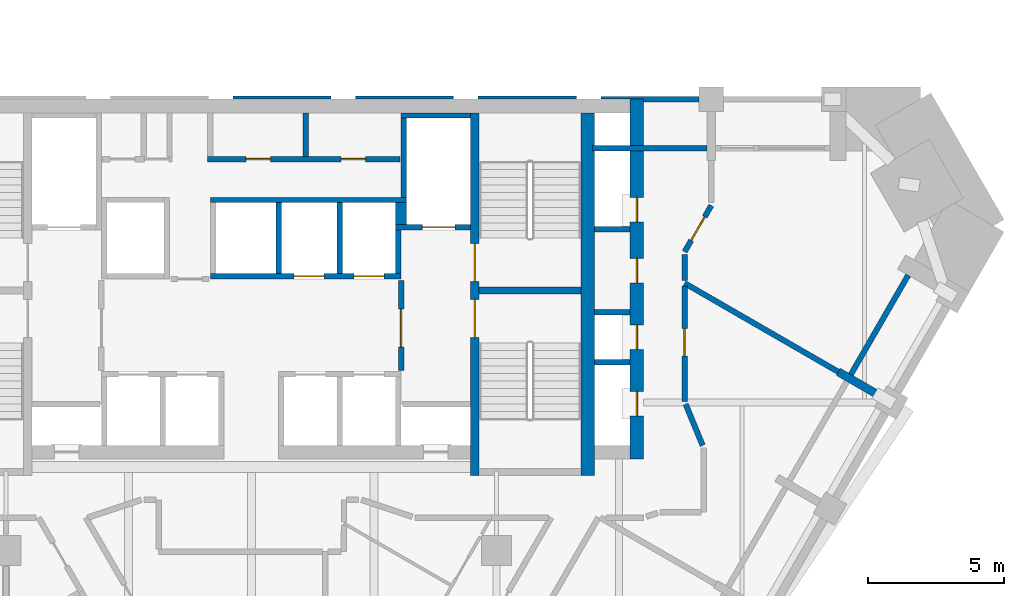
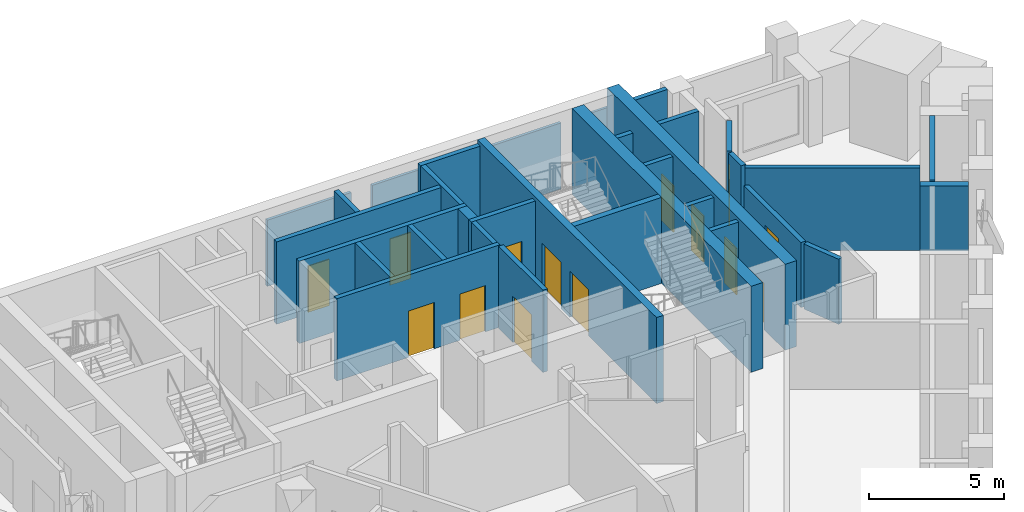
# One storey, part 7 of 9: 31 walls, 14 doors, 14 openings.
"""IFC4 building model written with IfcOpenShell, lengths in metres."""

from ifc_helpers import new_model, si_unit, direction, frame, frame_2d, origin, place, context, subcontext, project, spatial, polyline, rectangle, outline, extrude, material, layer, layer_set, type_object, element, fill, save


model = new_model("IFC4")

# Units and contexts
model_context = context("Model", 3, precision=1e-05, world=origin(), true_north=direction((0.0, 1.0)))
body_context = subcontext(model_context, "Body", "Model", "MODEL_VIEW")
ifc_project = project(units=[si_unit("LENGTHUNIT", "METRE"), si_unit("AREAUNIT", "SQUARE_METRE"), si_unit("VOLUMEUNIT", "CUBIC_METRE"), si_unit("PLANEANGLEUNIT", "RADIAN"), si_unit("MASSUNIT", "GRAM", prefix="KILO")], contexts=[model_context])

# Site, building, storey
site_placement = place(None, origin())
site = spatial("IfcSite", under=ifc_project, at=site_placement, CompositionType="ELEMENT")
building_placement = place(site_placement, origin())
building = spatial("IfcBuilding", under=site, at=building_placement, Name="Calabash Gate Tower", CompositionType="ELEMENT")
storey_placement = place(building_placement, frame((0.0, 0.0, 204.199951171875)))
storey = spatial("IfcBuildingStorey", under=building, at=storey_placement, Name="L48", CompositionType="ELEMENT", Elevation=204.199951171875)

# Walls
ifc_material_1 = material(Name="Terracotta brick masonry, exposed face", Category="masonry")
ifc_layer_1 = layer(ifc_material_1, 0.300048828125)
ifc_layer_set_1 = layer_set([ifc_layer_1], Name="Brick loggia cheek wall 300")
wall_type_1 = type_object("IfcWallType", Name="Brick loggia cheek wall 300", PredefinedType="SOLIDWALL", material=ifc_layer_set_1)
wall_1_placement = place(storey_placement, frame((23.09619140625, 8.148193359375, 0.0), z_axis=(0.0, 0.0, 1.0), x_axis=(-0.866047807691, 0.499961193289, 0.0)))
element("IfcWall", 1, at=wall_1_placement, inside=storey, type_object=wall_type_1, Name="Loggia cheek S13 SE2.8", PredefinedType="SOLIDWALL", context=body_context, shape_type="SweptSolid", body=[
    extrude(rectangle(XDim=1.800048828125, YDim=0.300048828125, at=frame_2d((0.89990234375, 0.0))), origin(), (0.0, 0.0, 1.0), 2.9501953125),
])
ifc_material_2 = material(Name="Gypsum board on steel studs, mineral wool", Category="steel")
ifc_layer_2 = layer(ifc_material_2, 0.199951171875)
ifc_layer_set_2 = layer_set([ifc_layer_2], Name="Core partition 200 gypsum board")
wall_type_2 = type_object("IfcWallType", Name="Core partition 200 gypsum board", PredefinedType="PARTITIONING", material=ifc_layer_set_2)
wall_2_placement = place(storey_placement, frame((2.0, 16.95263671875, 0.0), z_axis=(0.0, 0.0, 1.0), x_axis=(0.0, 1.0, 0.0)))
element("IfcWall", 2, at=wall_2_placement, inside=storey, type_object=wall_type_2, Name="Core partition", PredefinedType="PARTITIONING", context=body_context, shape_type="SweptSolid", body=[
    extrude(rectangle(XDim=1.599853515625, YDim=0.199951171875, at=frame_2d((0.7998046875, 0.0))), origin(), (0.0, 0.0, 1.0), 3.72998046875),
])
ifc_material_3 = material(Name="Concrete C70/85", Category="concrete")
ifc_layer_3 = layer(ifc_material_3, 0.25)
ifc_layer_set_3 = layer_set([ifc_layer_3], Name="Core wall 250 Concrete C70/85")
wall_type_3 = type_object("IfcWallType", Name="Core wall 250 Concrete C70/85", PredefinedType="SHEAR", material=ifc_layer_set_3)
wall_3_placement = place(storey_placement, frame((8.35009765625, 12.027587890625, 0.0), z_axis=(0.0, 0.0, 1.0), x_axis=(1.0, 0.0, 0.0)))
element("IfcWall", 3, at=wall_3_placement, inside=storey, type_object=wall_type_3, Name="Core wall Z4-MIDE L48", PredefinedType="SHEAR", context=body_context, shape_type="SweptSolid", body=[
    extrude(rectangle(XDim=3.75, YDim=0.25, at=frame_2d((1.875, 0.0))), origin(), (0.0, 0.0, 1.0), 3.900146484375),
])

# Wall, openings, doors
ifc_material_4 = material(Name="Concrete C70/85", Category="concrete")
ifc_layer_4 = layer(ifc_material_4, 0.300048828125)
ifc_layer_set_4 = layer_set([ifc_layer_4], Name="Core wall 300 Concrete C70/85")
wall_type_4 = type_object("IfcWallType", Name="Core wall 300 Concrete C70/85", PredefinedType="SHEAR", material=ifc_layer_set_4)
wall_4_placement = place(storey_placement, frame((8.199951171875, 5.252685546875, 0.0), z_axis=(0.0, 0.0, 1.0), x_axis=(0.0, 1.0, 0.0)))
wall_4 = element("IfcWall", 4, at=wall_4_placement, inside=storey, type_object=wall_type_4, Name="Core wall Z4-PARTE L48", PredefinedType="SHEAR", context=body_context, shape_type="SweptSolid", body=[
    extrude(rectangle(XDim=13.2998046875, YDim=0.300048828125, at=frame_2d((6.64990234375, 0.0))), origin(), (0.0, 0.0, 1.0), 3.900146484375),
])
opening_1_placement = place(wall_4_placement, frame((7.10009765625, 0.0, 0.0)))
opening_1 = element("IfcOpeningElement", 5, at=opening_1_placement, cuts=wall_4, Name="Opening O5-020", PredefinedType="OPENING", context=body_context, shape_type="SweptSolid", body=[
    extrude(rectangle(XDim=1.39990234375, YDim=2.10009765625, at=frame_2d((0.699951171875, 1.050048828125))), frame((0.0, 0.159912109375, 0.0), z_axis=(0.0, -1.0, 0.0), x_axis=(1.0, 0.0, 0.0)), (0.0, 0.0, 1.0), 0.320068359375),
])
opening_2_placement = place(wall_4_placement, frame((5.050048828125, 0.0, 0.0)))
opening_2 = element("IfcOpeningElement", 6, at=opening_2_placement, cuts=wall_4, Name="Opening O5-021", PredefinedType="OPENING", context=body_context, shape_type="SweptSolid", body=[
    extrude(rectangle(XDim=1.39990234375, YDim=2.10009765625, at=frame_2d((0.699951171875, 1.050048828125))), frame((0.0, 0.159912109375, 0.0), z_axis=(0.0, -1.0, 0.0), x_axis=(1.0, 0.0, 0.0)), (0.0, 0.0, 1.0), 0.320068359375),
])
ifc_material_5 = material(Name="Steel fire door set with fire-resisting glazing", Category="steel")
door_type_1 = type_object("IfcDoorType", Name="Fire door D05 1400x2100 FD90", OperationType="NOTDEFINED", PredefinedType="DOOR", material=ifc_material_5)
door_1_placement = place(opening_1_placement, origin())
door_1 = element("IfcDoor", 7, at=door_1_placement, inside=storey, type_object=door_type_1, Name="Exit stair door ST3", OperationType="SINGLE_SWING_RIGHT", OverallHeight=2.10009765625, OverallWidth=1.39990234375, PredefinedType="DOOR", context=body_context, shape_type="SweptSolid", body=[
    extrude(rectangle(XDim=1.39990234375, YDim=2.10009765625, at=frame_2d((0.699951171875, 1.050048828125))), frame((0.0, 0.02490234375, 0.0), z_axis=(0.0, -1.0, 0.0), x_axis=(1.0, 0.0, 0.0)), (0.0, 0.0, 1.0), 0.050048828125),
])
fill(opening_1, door_1)
door_2_placement = place(opening_2_placement, origin())
door_2 = element("IfcDoor", 8, at=door_2_placement, inside=storey, type_object=door_type_1, Name="Exit stair door ST4", OperationType="SINGLE_SWING_LEFT", OverallHeight=2.10009765625, OverallWidth=1.39990234375, PredefinedType="DOOR", context=body_context, shape_type="SweptSolid", body=[
    extrude(rectangle(XDim=1.39990234375, YDim=2.10009765625, at=frame_2d((0.699951171875, 1.050048828125))), frame((0.0, 0.02490234375, 0.0), z_axis=(0.0, -1.0, 0.0), x_axis=(1.0, 0.0, 0.0)), (0.0, 0.0, 1.0), 0.050048828125),
])
fill(opening_2, door_2)

# Wall
ifc_material_6 = material(Name="Concrete C70/85", Category="concrete")
ifc_layer_5 = layer(ifc_material_6, 0.5)
ifc_layer_set_5 = layer_set([ifc_layer_5], Name="Core wall 500 Concrete C70/85")
wall_type_5 = type_object("IfcWallType", Name="Core wall 500 Concrete C70/85", PredefinedType="SHEAR", material=ifc_layer_set_5)
wall_5_placement = place(storey_placement, frame((12.35009765625, 5.252685546875, 0.0), z_axis=(0.0, 0.0, 1.0), x_axis=(0.0, 1.0, 0.0)))
element("IfcWall", 9, at=wall_5_placement, inside=storey, type_object=wall_type_5, Name="Core wall Z4-COLE L48", PredefinedType="SHEAR", context=body_context, shape_type="SweptSolid", body=[
    extrude(rectangle(XDim=13.2998046875, YDim=0.5, at=frame_2d((6.64990234375, 0.0))), origin(), (0.0, 0.0, 1.0), 3.900146484375),
])

# Wall, openings, doors
wall_6_placement = place(storey_placement, frame((14.14990234375, 5.8525390625, 0.0), z_axis=(0.0, 0.0, 1.0), x_axis=(0.0, 1.0, 0.0)))
wall_6 = element("IfcWall", 10, at=wall_6_placement, inside=storey, type_object=wall_type_5, Name="Core wall Z4-ENDE L48", PredefinedType="SHEAR", context=body_context, shape_type="SweptSolid", body=[
    extrude(rectangle(XDim=13.199951171875, YDim=0.5, at=frame_2d((6.60009765625, 0.0))), origin(), (0.0, 0.0, 1.0), 3.900146484375),
])
opening_3_placement = place(wall_6_placement, frame((1.574951171875, 0.0, 0.0)))
opening_3 = element("IfcOpeningElement", 11, at=opening_3_placement, cuts=wall_6, Name="Opening O5-001", PredefinedType="OPENING", context=body_context, shape_type="SweptSolid", body=[
    extrude(rectangle(XDim=0.89990234375, YDim=2.10009765625, at=frame_2d((0.449951171875, 1.050048828125))), frame((0.0, 0.260009765625, 0.0), z_axis=(0.0, -1.0, 0.0), x_axis=(1.0, 0.0, 0.0)), (0.0, 0.0, 1.0), 0.52001953125),
])
opening_4_placement = place(wall_6_placement, frame((4.014892578125, 0.0, 0.0)))
opening_4 = element("IfcOpeningElement", 12, at=opening_4_placement, cuts=wall_6, Name="Opening O5-002", PredefinedType="OPENING", context=body_context, shape_type="SweptSolid", body=[
    extrude(rectangle(XDim=0.89990234375, YDim=2.10009765625, at=frame_2d((0.449951171875, 1.050048828125))), frame((0.0, 0.260009765625, 0.0), z_axis=(0.0, -1.0, 0.0), x_axis=(1.0, 0.0, 0.0)), (0.0, 0.0, 1.0), 0.52001953125),
])
opening_5_placement = place(wall_6_placement, frame((6.455078125, 0.0, 0.0)))
opening_5 = element("IfcOpeningElement", 13, at=opening_5_placement, cuts=wall_6, Name="Opening O5-003", PredefinedType="OPENING", context=body_context, shape_type="SweptSolid", body=[
    extrude(rectangle(XDim=0.89990234375, YDim=2.10009765625, at=frame_2d((0.449951171875, 1.050048828125))), frame((0.0, 0.260009765625, 0.0), z_axis=(0.0, -1.0, 0.0), x_axis=(1.0, 0.0, 0.0)), (0.0, 0.0, 1.0), 0.52001953125),
])
opening_6_placement = place(wall_6_placement, frame((8.697509765625, 0.0, 0.0)))
opening_6 = element("IfcOpeningElement", 14, at=opening_6_placement, cuts=wall_6, Name="Opening O5-004", PredefinedType="OPENING", context=body_context, shape_type="SweptSolid", body=[
    extrude(rectangle(XDim=0.89990234375, YDim=2.10009765625, at=frame_2d((0.449951171875, 1.050048828125))), frame((0.0, 0.260009765625, 0.0), z_axis=(0.0, -1.0, 0.0), x_axis=(1.0, 0.0, 0.0)), (0.0, 0.0, 1.0), 0.52001953125),
])
ifc_material_7 = material(Name="Steel fire door set with fire-resisting glazing", Category="steel")
door_type_2 = type_object("IfcDoorType", Name="Fire door D06 900x2100 FD60", OperationType="NOTDEFINED", PredefinedType="DOOR", material=ifc_material_7)
door_3_placement = place(opening_3_placement, origin())
door_3 = element("IfcDoor", 15, at=door_3_placement, inside=storey, type_object=door_type_2, Name="Electrical Riser door", OperationType="SINGLE_SWING_LEFT", OverallHeight=2.10009765625, OverallWidth=0.89990234375, PredefinedType="DOOR", context=body_context, shape_type="SweptSolid", body=[
    extrude(rectangle(XDim=0.89990234375, YDim=2.10009765625, at=frame_2d((0.449951171875, 1.050048828125))), frame((0.0, 0.02490234375, 0.0), z_axis=(0.0, -1.0, 0.0), x_axis=(1.0, 0.0, 0.0)), (0.0, 0.0, 1.0), 0.050048828125),
])
fill(opening_3, door_3)
door_4_placement = place(opening_4_placement, origin())
door_4 = element("IfcDoor", 16, at=door_4_placement, inside=storey, type_object=door_type_2, Name="Comms Riser door", OperationType="SINGLE_SWING_RIGHT", OverallHeight=2.10009765625, OverallWidth=0.89990234375, PredefinedType="DOOR", context=body_context, shape_type="SweptSolid", body=[
    extrude(rectangle(XDim=0.89990234375, YDim=2.10009765625, at=frame_2d((0.449951171875, 1.050048828125))), frame((0.0, 0.02490234375, 0.0), z_axis=(0.0, -1.0, 0.0), x_axis=(1.0, 0.0, 0.0)), (0.0, 0.0, 1.0), 0.050048828125),
])
fill(opening_4, door_4)
door_5_placement = place(opening_5_placement, origin())
door_5 = element("IfcDoor", 17, at=door_5_placement, inside=storey, type_object=door_type_2, Name="Cleaner's Store door", OperationType="SINGLE_SWING_LEFT", OverallHeight=2.10009765625, OverallWidth=0.89990234375, PredefinedType="DOOR", context=body_context, shape_type="SweptSolid", body=[
    extrude(rectangle(XDim=0.89990234375, YDim=2.10009765625, at=frame_2d((0.449951171875, 1.050048828125))), frame((0.0, 0.02490234375, 0.0), z_axis=(0.0, -1.0, 0.0), x_axis=(1.0, 0.0, 0.0)), (0.0, 0.0, 1.0), 0.050048828125),
])
fill(opening_5, door_5)
door_6_placement = place(opening_6_placement, origin())
door_6 = element("IfcDoor", 18, at=door_6_placement, inside=storey, type_object=door_type_2, Name="Duct Riser door", OperationType="SINGLE_SWING_LEFT", OverallHeight=2.10009765625, OverallWidth=0.89990234375, PredefinedType="DOOR", context=body_context, shape_type="SweptSolid", body=[
    extrude(rectangle(XDim=0.89990234375, YDim=2.10009765625, at=frame_2d((0.449951171875, 1.050048828125))), frame((0.0, 0.02490234375, 0.0), z_axis=(0.0, -1.0, 0.0), x_axis=(1.0, 0.0, 0.0)), (0.0, 0.0, 1.0), 0.050048828125),
])
fill(opening_6, door_6)

# Walls
ifc_material_8 = material(Name="Gypsum board on steel studs, mineral wool", Category="steel")
ifc_layer_6 = layer(ifc_material_8, 0.199951171875)
ifc_layer_set_6 = layer_set([ifc_layer_6], Name="Partition 200 gypsum board EI 60")
wall_type_6 = type_object("IfcWallType", Name="Partition 200 gypsum board EI 60", PredefinedType="PARTITIONING", material=ifc_layer_set_6)
wall_7_placement = place(storey_placement, frame((15.938720703125, 7.860107421875, 0.0), z_axis=(0.0, 0.0, 1.0), x_axis=(0.380749805254, -0.924678098475, 0.0)))
element("IfcWall", 19, at=wall_7_placement, inside=storey, type_object=wall_type_6, Name="Partition", PredefinedType="PARTITIONING", context=body_context, shape_type="SweptSolid", body=[
    extrude(rectangle(XDim=1.63818359375, YDim=0.199951171875, at=frame_2d((0.819091796875, 0.0))), origin(), (0.0, 0.0, 1.0), 2.9501953125),
])
wall_8_placement = place(storey_placement, frame((15.900390625, 12.30029296875, 0.0), z_axis=(0.0, 0.0, 1.0), x_axis=(0.86615310705, -0.499778746194, 0.0)))
element("IfcWall", 20, at=wall_8_placement, inside=storey, type_object=wall_type_6, Name="Partition", PredefinedType="PARTITIONING", context=body_context, shape_type="SweptSolid", body=[
    extrude(rectangle(XDim=6.5078125, YDim=0.199951171875, at=frame_2d((3.25390625, 0.0))), origin(), (0.0, 0.0, 1.0), 3.72998046875),
])

# Wall, opening, door
wall_9_placement = place(storey_placement, frame((15.900390625, 7.95263671875, 0.0), z_axis=(0.0, 0.0, 1.0), x_axis=(0.000402229468, 0.999999919106, 0.0)))
wall_9 = element("IfcWall", 21, at=wall_9_placement, inside=storey, type_object=wall_type_6, Name="Partition", PredefinedType="PARTITIONING", context=body_context, shape_type="SweptSolid", body=[
    extrude(rectangle(XDim=4.248779296875, YDim=0.199951171875, at=frame_2d((2.12451171875, 0.0))), origin(), (0.0, 0.0, 1.0), 2.9501953125),
])
opening_7_placement = place(wall_9_placement, frame((1.67578125, 0.0, 0.0)))
opening_7 = element("IfcOpeningElement", 22, at=opening_7_placement, cuts=wall_9, Name="Opening 46-48-011", PredefinedType="OPENING", context=body_context, shape_type="SweptSolid", body=[
    extrude(rectangle(XDim=1.0, YDim=2.10009765625, at=frame_2d((0.5, 1.050048828125))), frame((0.0, 0.10986328125, 0.0), z_axis=(0.0, -1.0, 0.0), x_axis=(1.0, 0.0, 0.0)), (0.0, 0.0, 1.0), 0.219970703125),
])
ifc_material_9 = material(Name="Steel fire door set with fire-resisting glazing", Category="steel")
door_type_3 = type_object("IfcDoorType", Name="LD2 Meeting room door 1000x2100", OperationType="NOTDEFINED", PredefinedType="DOOR", material=ifc_material_9)
door_7_placement = place(opening_7_placement, origin())
door_7 = element("IfcDoor", 23, at=door_7_placement, inside=storey, type_object=door_type_3, Name="Meeting room door", OperationType="SINGLE_SWING_RIGHT", OverallHeight=2.10009765625, OverallWidth=1.0, PredefinedType="DOOR", context=body_context, shape_type="SweptSolid", body=[
    extrude(rectangle(XDim=1.0, YDim=2.10009765625, at=frame_2d((0.5, 1.050048828125))), frame((0.0, 0.02490234375, 0.0), z_axis=(0.0, -1.0, 0.0), x_axis=(1.0, 0.0, 0.0)), (0.0, 0.0, 1.0), 0.050048828125),
])
fill(opening_7, door_7)

# Wall
wall_10_placement = place(storey_placement, frame((15.900634765625, 13.352294921875, 0.0), z_axis=(0.0, 0.0, 1.0), x_axis=(0.001284025649, -0.999999175639, 0.0)))
element("IfcWall", 24, at=wall_10_placement, inside=storey, type_object=wall_type_6, Name="Partition", PredefinedType="PARTITIONING", context=body_context, shape_type="SweptSolid", body=[
    extrude(rectangle(XDim=0.95068359375, YDim=0.199951171875, at=frame_2d((0.475341796875, 0.0))), origin(), (0.0, 0.0, 1.0), 3.72998046875),
])

# Wall, opening, door
wall_11_placement = place(storey_placement, frame((15.900390625, 13.452392578125, 0.0), z_axis=(0.0, 0.0, 1.0), x_axis=(0.498590407305, 0.866837704385, 0.0)))
wall_11 = element("IfcWall", 25, at=wall_11_placement, inside=storey, type_object=wall_type_6, Name="Partition", PredefinedType="PARTITIONING", context=body_context, shape_type="SweptSolid", body=[
    extrude(rectangle(XDim=1.961181640625, YDim=0.199951171875, at=frame_2d((0.98046875, 0.0))), origin(), (0.0, 0.0, 1.0), 3.72998046875),
])
opening_8_placement = place(wall_11_placement, frame((0.480712890625, 0.0, 0.0)))
opening_8 = element("IfcOpeningElement", 26, at=opening_8_placement, cuts=wall_11, Name="Opening 46-48-010", PredefinedType="OPENING", context=body_context, shape_type="SweptSolid", body=[
    extrude(rectangle(XDim=1.0, YDim=2.10009765625, at=frame_2d((0.5, 1.050048828125))), frame((0.0, 0.10986328125, 0.0), z_axis=(0.0, -1.0, 0.0), x_axis=(1.0, 0.0, 0.0)), (0.0, 0.0, 1.0), 0.219970703125),
])
door_8_placement = place(opening_8_placement, origin())
door_8 = element("IfcDoor", 27, at=door_8_placement, inside=storey, type_object=door_type_3, Name="Meeting room door", OperationType="SINGLE_SWING_LEFT", OverallHeight=2.10009765625, OverallWidth=1.0, PredefinedType="DOOR", context=body_context, shape_type="SweptSolid", body=[
    extrude(rectangle(XDim=1.0, YDim=2.10009765625, at=frame_2d((0.5, 1.050048828125))), frame((0.0, 0.02490234375, 0.0), z_axis=(0.0, -1.0, 0.0), x_axis=(1.0, 0.0, 0.0)), (0.0, 0.0, 1.0), 0.050048828125),
])
fill(opening_8, door_8)

ifc_material_10 = material(Name="Concrete C40/50", Category="concrete")
ifc_layer_7 = layer(ifc_material_10, 0.199951171875)
ifc_layer_set_7 = layer_set([ifc_layer_7], Name="Shaft wall 200 Concrete C40/50")
wall_type_7 = type_object("IfcWallType", Name="Shaft wall 200 Concrete C40/50", PredefinedType="SOLIDWALL", material=ifc_layer_set_7)
wall_12_placement = place(storey_placement, frame((5.5, 9.1025390625, 0.0), z_axis=(0.0, 0.0, 1.0), x_axis=(0.0, 1.0, 0.0)))
wall_12 = element("IfcWall", 28, at=wall_12_placement, inside=storey, type_object=wall_type_7, Name="Shaft wall", PredefinedType="SOLIDWALL", context=body_context, shape_type="SweptSolid", body=[
    extrude(rectangle(XDim=3.300048828125, YDim=0.199951171875, at=frame_2d((1.64990234375, 0.0))), origin(), (0.0, 0.0, 1.0), 3.72998046875),
])
opening_9_placement = place(wall_12_placement, frame((0.85009765625, 0.0, 0.0)))
opening_9 = element("IfcOpeningElement", 29, at=opening_9_placement, cuts=wall_12, Name="Opening O5-010", PredefinedType="OPENING", context=body_context, shape_type="SweptSolid", body=[
    extrude(rectangle(XDim=1.39990234375, YDim=2.10009765625, at=frame_2d((0.699951171875, 1.050048828125))), frame((0.0, 0.10986328125, 0.0), z_axis=(0.0, -1.0, 0.0), x_axis=(1.0, 0.0, 0.0)), (0.0, 0.0, 1.0), 0.219970703125),
])
door_9_placement = place(opening_9_placement, origin())
door_9 = element("IfcDoor", 30, at=door_9_placement, inside=storey, type_object=door_type_1, Name="Firefighting Lobby E door", OperationType="SINGLE_SWING_LEFT", OverallHeight=2.10009765625, OverallWidth=1.39990234375, PredefinedType="DOOR", context=body_context, shape_type="SweptSolid", body=[
    extrude(rectangle(XDim=1.39990234375, YDim=2.10009765625, at=frame_2d((0.699951171875, 1.050048828125))), frame((0.0, 0.02490234375, 0.0), z_axis=(0.0, -1.0, 0.0), x_axis=(1.0, 0.0, 0.0)), (0.0, 0.0, 1.0), 0.050048828125),
])
fill(opening_9, door_9)

# Walls
for number, where, z_axis, x_axis, name in (
    (31, (12.60009765625, 9.402587890625, 0.0), (0.0, 0.0, 1.0), (1.0, 0.0, 0.0), "Shaft wall"),
    (32, (12.60009765625, 11.232666015625, 0.0), (0.0, 0.0, 1.0), (1.0, 0.0, 0.0), "Shaft wall"),
):
    element("IfcWall", number, at=place(storey_placement, frame(where, z_axis=z_axis, x_axis=x_axis)), inside=storey, type_object=wall_type_7, Name=name, PredefinedType="SOLIDWALL", context=body_context, shape_type="SweptSolid", body=[
        extrude(rectangle(XDim=1.2998046875, YDim=0.199951171875, at=frame_2d((0.64990234375, 0.0))), origin(), (0.0, 0.0, 1.0), 3.72998046875),
    ])

# Wall, openings, doors
wall_13_placement = place(storey_placement, frame((-1.5, 12.552490234375, 0.0), z_axis=(0.0, 0.0, 1.0), x_axis=(1.0, 0.0, 0.0)))
wall_13 = element("IfcWall", 33, at=wall_13_placement, inside=storey, type_object=wall_type_7, Name="Shaft wall", PredefinedType="SOLIDWALL", context=body_context, shape_type="SweptSolid", body=[
    extrude(rectangle(XDim=7.0, YDim=0.199951171875, at=frame_2d((3.5, 0.0))), origin(), (0.0, 0.0, 1.0), 3.72998046875),
])
opening_10_placement = place(wall_13_placement, frame((3.074951171875, 0.0, 0.0)))
opening_10 = element("IfcOpeningElement", 34, at=opening_10_placement, cuts=wall_13, Name="Opening LD-HR5", PredefinedType="OPENING", context=body_context, shape_type="SweptSolid", body=[
    extrude(rectangle(XDim=1.10009765625, YDim=2.10009765625, at=frame_2d((0.550048828125, 1.050048828125))), frame((0.0, 0.10986328125, 0.0), z_axis=(0.0, -1.0, 0.0), x_axis=(1.0, 0.0, 0.0)), (0.0, 0.0, 1.0), 0.219970703125),
])
opening_11_placement = place(wall_13_placement, frame((5.27490234375, 0.0, 0.0)))
opening_11 = element("IfcOpeningElement", 35, at=opening_11_placement, cuts=wall_13, Name="Opening LD-HR6", PredefinedType="OPENING", context=body_context, shape_type="SweptSolid", body=[
    extrude(rectangle(XDim=1.10009765625, YDim=2.10009765625, at=frame_2d((0.550048828125, 1.050048828125))), frame((0.0, 0.10986328125, 0.0), z_axis=(0.0, -1.0, 0.0), x_axis=(1.0, 0.0, 0.0)), (0.0, 0.0, 1.0), 0.219970703125),
])
ifc_material_11 = material(Name="Stainless steel sliding door leaves", Category="steel")
door_type_4 = type_object("IfcDoorType", Name="Lift landing door LS1 1100x2100 FD90", OperationType="DOUBLE_DOOR_SLIDING", PredefinedType="DOOR", material=ifc_material_11)
door_10_placement = place(opening_10_placement, origin())
door_10 = element("IfcDoor", 36, at=door_10_placement, inside=storey, type_object=door_type_4, Name="Lift landing door HR5", OperationType="DOUBLE_DOOR_SLIDING", OverallHeight=2.10009765625, OverallWidth=1.10009765625, PredefinedType="DOOR", context=body_context, shape_type="SweptSolid", body=[
    extrude(rectangle(XDim=1.10009765625, YDim=2.10009765625, at=frame_2d((0.550048828125, 1.050048828125))), frame((0.0, 0.02490234375, 0.0), z_axis=(0.0, -1.0, 0.0), x_axis=(1.0, 0.0, 0.0)), (0.0, 0.0, 1.0), 0.050048828125),
])
fill(opening_10, door_10)
door_11_placement = place(opening_11_placement, origin())
door_11 = element("IfcDoor", 37, at=door_11_placement, inside=storey, type_object=door_type_4, Name="Lift landing door HR6", OperationType="DOUBLE_DOOR_SLIDING", OverallHeight=2.10009765625, OverallWidth=1.10009765625, PredefinedType="DOOR", context=body_context, shape_type="SweptSolid", body=[
    extrude(rectangle(XDim=1.10009765625, YDim=2.10009765625, at=frame_2d((0.550048828125, 1.050048828125))), frame((0.0, 0.02490234375, 0.0), z_axis=(0.0, -1.0, 0.0), x_axis=(1.0, 0.0, 0.0)), (0.0, 0.0, 1.0), 0.050048828125),
])
fill(opening_11, door_11)

# Walls
for number, where, z_axis, x_axis, name in (
    (38, (1.0, 12.652587890625, 0.0), (0.0, 0.0, 1.0), (0.0, 1.0, 0.0), "Shaft wall"),
    (39, (3.25, 12.652587890625, 0.0), (0.0, 0.0, 1.0), (0.0, 1.0, 0.0), "Shaft wall"),
):
    element("IfcWall", number, at=place(storey_placement, frame(where, z_axis=z_axis, x_axis=x_axis)), inside=storey, type_object=wall_type_7, Name=name, PredefinedType="SOLIDWALL", context=body_context, shape_type="SweptSolid", body=[
        extrude(rectangle(XDim=2.60009765625, YDim=0.199951171875, at=frame_2d((1.300048828125, 0.0))), origin(), (0.0, 0.0, 1.0), 3.72998046875),
    ])
wall_14_placement = place(storey_placement, frame((5.39990234375, 12.652587890625, 0.0), z_axis=(0.0, 0.0, 1.0), x_axis=(0.0, 1.0, 0.0)))
element("IfcWall", 40, at=wall_14_placement, inside=storey, type_object=wall_type_7, Name="Shaft wall", PredefinedType="SOLIDWALL", context=body_context, shape_type="SweptSolid", body=[
    extrude(rectangle(XDim=1.60009765625, YDim=0.199951171875, at=frame_2d((0.800048828125, 0.0))), origin(), (0.0, 0.0, 1.0), 3.72998046875),
])
wall_15_placement = place(storey_placement, frame((12.60009765625, 14.28271484375, 0.0), z_axis=(0.0, 0.0, 1.0), x_axis=(1.0, 0.0, 0.0)))
element("IfcWall", 41, at=wall_15_placement, inside=storey, type_object=wall_type_7, Name="Shaft wall", PredefinedType="SOLIDWALL", context=body_context, shape_type="SweptSolid", body=[
    extrude(rectangle(XDim=1.2998046875, YDim=0.199951171875, at=frame_2d((0.64990234375, 0.0))), origin(), (0.0, 0.0, 1.0), 3.72998046875),
])

# Wall, opening, door
wall_16_placement = place(storey_placement, frame((5.300048828125, 14.3525390625, 0.0), z_axis=(0.0, 0.0, 1.0), x_axis=(1.0, 0.0, 0.0)))
wall_16 = element("IfcWall", 42, at=wall_16_placement, inside=storey, type_object=wall_type_7, Name="Shaft wall", PredefinedType="SOLIDWALL", context=body_context, shape_type="SweptSolid", body=[
    extrude(rectangle(XDim=2.75, YDim=0.199951171875, at=frame_2d((1.375, 0.0))), origin(), (0.0, 0.0, 1.0), 3.72998046875),
])
opening_12_placement = place(wall_16_placement, frame((0.97509765625, 0.0, 0.0)))
opening_12 = element("IfcOpeningElement", 43, at=opening_12_placement, cuts=wall_16, Name="Opening LD-FF2", PredefinedType="OPENING", context=body_context, shape_type="SweptSolid", body=[
    extrude(rectangle(XDim=1.199951171875, YDim=2.10009765625, at=frame_2d((0.60009765625, 1.050048828125))), frame((0.0, 0.10986328125, 0.0), z_axis=(0.0, -1.0, 0.0), x_axis=(1.0, 0.0, 0.0)), (0.0, 0.0, 1.0), 0.219970703125),
])
ifc_material_12 = material(Name="Stainless steel sliding door leaves", Category="steel")
door_type_5 = type_object("IfcDoorType", Name="Lift landing door LS3 1200x2100 FD90", OperationType="DOUBLE_DOOR_SLIDING", PredefinedType="DOOR", material=ifc_material_12)
door_12_placement = place(opening_12_placement, origin())
door_12 = element("IfcDoor", 44, at=door_12_placement, inside=storey, type_object=door_type_5, Name="Lift landing door FF2", OperationType="DOUBLE_DOOR_SLIDING", OverallHeight=2.10009765625, OverallWidth=1.199951171875, PredefinedType="DOOR", context=body_context, shape_type="SweptSolid", body=[
    extrude(rectangle(XDim=1.199951171875, YDim=2.10009765625, at=frame_2d((0.60009765625, 1.050048828125))), frame((0.0, 0.02490234375, 0.0), z_axis=(0.0, -1.0, 0.0), x_axis=(1.0, 0.0, 0.0)), (0.0, 0.0, 1.0), 0.050048828125),
])
fill(opening_12, door_12)

# Walls
wall_17_placement = place(storey_placement, frame((5.5, 14.45263671875, 0.0), z_axis=(0.0, 0.0, 1.0), x_axis=(0.0, 1.0, 0.0)))
element("IfcWall", 45, at=wall_17_placement, inside=storey, type_object=wall_type_7, Name="Shaft wall", PredefinedType="SOLIDWALL", context=body_context, shape_type="SweptSolid", body=[
    extrude(rectangle(XDim=0.800048828125, YDim=0.39990234375, at=frame_2d((0.39990234375, 0.0))), origin(), (0.0, 0.0, 1.0), 3.72998046875),
])
wall_18_placement = place(storey_placement, frame((-1.5, 15.3525390625, 0.0), z_axis=(0.0, 0.0, 1.0), x_axis=(1.0, 0.0, 0.0)))
element("IfcWall", 46, at=wall_18_placement, inside=storey, type_object=wall_type_7, Name="Shaft wall", PredefinedType="SOLIDWALL", context=body_context, shape_type="SweptSolid", body=[
    extrude(rectangle(XDim=7.199951171875, YDim=0.199951171875, at=frame_2d((3.60009765625, 0.0))), origin(), (0.0, 0.0, 1.0), 3.72998046875),
])
wall_19_placement = place(storey_placement, frame((5.60009765625, 15.45263671875, 0.0), z_axis=(0.0, 0.0, 1.0), x_axis=(0.0, 1.0, 0.0)))
element("IfcWall", 47, at=wall_19_placement, inside=storey, type_object=wall_type_7, Name="Shaft wall", PredefinedType="SOLIDWALL", context=body_context, shape_type="SweptSolid", body=[
    extrude(rectangle(XDim=2.89990234375, YDim=0.199951171875, at=frame_2d((1.449951171875, 0.0))), origin(), (0.0, 0.0, 1.0), 3.72998046875),
])

# Wall, openings, doors
wall_20_placement = place(storey_placement, frame((-1.60009765625, 16.8525390625, 0.0), z_axis=(0.0, 0.0, 1.0), x_axis=(1.0, 0.0, 0.0)))
wall_20 = element("IfcWall", 48, at=wall_20_placement, inside=storey, type_object=wall_type_7, Name="Shaft wall", PredefinedType="SOLIDWALL", context=body_context, shape_type="SweptSolid", body=[
    extrude(rectangle(XDim=7.050048828125, YDim=0.199951171875, at=frame_2d((3.52490234375, 0.0))), origin(), (0.0, 0.0, 1.0), 3.72998046875),
])
opening_13_placement = place(wall_20_placement, frame((1.39990234375, 0.0, 0.0)))
opening_13 = element("IfcOpeningElement", 49, at=opening_13_placement, cuts=wall_20, Name="Opening O5-014", PredefinedType="OPENING", context=body_context, shape_type="SweptSolid", body=[
    extrude(rectangle(XDim=0.89990234375, YDim=2.10009765625, at=frame_2d((0.449951171875, 1.050048828125))), frame((0.0, 0.10986328125, 0.0), z_axis=(0.0, -1.0, 0.0), x_axis=(1.0, 0.0, 0.0)), (0.0, 0.0, 1.0), 0.219970703125),
])
opening_14_placement = place(wall_20_placement, frame((4.89990234375, 0.0, 0.0)))
opening_14 = element("IfcOpeningElement", 50, at=opening_14_placement, cuts=wall_20, Name="Opening O5-015", PredefinedType="OPENING", context=body_context, shape_type="SweptSolid", body=[
    extrude(rectangle(XDim=0.89990234375, YDim=2.10009765625, at=frame_2d((0.449951171875, 1.050048828125))), frame((0.0, 0.10986328125, 0.0), z_axis=(0.0, -1.0, 0.0), x_axis=(1.0, 0.0, 0.0)), (0.0, 0.0, 1.0), 0.219970703125),
])
door_13_placement = place(opening_13_placement, origin())
door_13 = element("IfcDoor", 51, at=door_13_placement, inside=storey, type_object=door_type_2, Name="Tenant Pantry door", OperationType="SINGLE_SWING_LEFT", OverallHeight=2.10009765625, OverallWidth=0.89990234375, PredefinedType="DOOR", context=body_context, shape_type="SweptSolid", body=[
    extrude(rectangle(XDim=0.89990234375, YDim=2.10009765625, at=frame_2d((0.449951171875, 1.050048828125))), frame((0.0, 0.02490234375, 0.0), z_axis=(0.0, -1.0, 0.0), x_axis=(1.0, 0.0, 0.0)), (0.0, 0.0, 1.0), 0.050048828125),
])
fill(opening_13, door_13)
door_14_placement = place(opening_14_placement, origin())
door_14 = element("IfcDoor", 52, at=door_14_placement, inside=storey, type_object=door_type_2, Name="Comms Room door", OperationType="SINGLE_SWING_LEFT", OverallHeight=2.10009765625, OverallWidth=0.89990234375, PredefinedType="DOOR", context=body_context, shape_type="SweptSolid", body=[
    extrude(rectangle(XDim=0.89990234375, YDim=2.10009765625, at=frame_2d((0.449951171875, 1.050048828125))), frame((0.0, 0.02490234375, 0.0), z_axis=(0.0, -1.0, 0.0), x_axis=(1.0, 0.0, 0.0)), (0.0, 0.0, 1.0), 0.050048828125),
])
fill(opening_14, door_14)

# Walls
wall_21_placement = place(storey_placement, frame((5.5, 18.45263671875, 0.0), z_axis=(0.0, 0.0, 1.0), x_axis=(1.0, 0.0, 0.0)))
element("IfcWall", 53, at=wall_21_placement, inside=storey, type_object=wall_type_7, Name="Shaft wall", PredefinedType="SOLIDWALL", context=body_context, shape_type="SweptSolid", body=[
    extrude(rectangle(XDim=2.550048828125, YDim=0.199951171875, at=frame_2d((1.27490234375, 0.0))), origin(), (0.0, 0.0, 1.0), 3.72998046875),
])
ifc_material_13 = material(Name="Terracotta brick masonry, perforated", Category="masonry")
ifc_layer_8 = layer(ifc_material_13, 0.1201171875)
ifc_layer_set_8 = layer_set([ifc_layer_8], Name="Terracotta jaali cladding A 120")
wall_type_8 = type_object("IfcWallType", Name="Terracotta jaali cladding A 120", PredefinedType="SOLIDWALL", material=ifc_layer_set_8)
wall_22_placement = place(storey_placement, origin())
element("IfcWall", 54, at=wall_22_placement, inside=storey, type_object=wall_type_8, Name="Jaali cladding S13 N4.3", PredefinedType="SOLIDWALL", context=body_context, shape_type="SweptSolid", body=[
    extrude(outline(polyline([(8.327880859375, 19.172607421875), (8.327880859375, 19.052490234375), (11.927734375, 19.052490234375), (11.927734375, 19.172607421875), (8.327880859375, 19.172607421875)])), origin(), (0.0, 0.0, 1.0), 3.0),
])
wall_23_placement = place(storey_placement, origin())
element("IfcWall", 55, at=wall_23_placement, inside=storey, type_object=wall_type_8, Name="Jaali cladding S13 N4.5", PredefinedType="SOLIDWALL", context=body_context, shape_type="SweptSolid", body=[
    extrude(outline(polyline([(-0.672119140625, 19.172607421875), (-0.672119140625, 19.052490234375), (2.927734375, 19.052490234375), (2.927734375, 19.172607421875), (-0.672119140625, 19.172607421875)])), origin(), (0.0, 0.0, 1.0), 3.0),
])
ifc_material_14 = material(Name="Terracotta brick masonry, perforated", Category="masonry")
ifc_layer_9 = layer(ifc_material_14, 0.199951171875)
ifc_layer_set_9 = layer_set([ifc_layer_9], Name="Terracotta jaali screen A")
wall_type_9 = type_object("IfcWallType", Name="Terracotta jaali screen A", PredefinedType="SOLIDWALL", material=ifc_layer_set_9)
wall_24_placement = place(storey_placement, origin())
element("IfcWall", 56, at=wall_24_placement, inside=storey, type_object=wall_type_9, Name="SCREEN A S13 N4.2", PredefinedType="SOLIDWALL", context=body_context, shape_type="SweptSolid", body=[
    extrude(outline(polyline([(16.427734375, 19.152587890625), (12.827880859375, 19.152587890625), (12.827880859375, 19.052490234375), (14.39990234375, 19.052490234375), (14.39990234375, 18.95263671875), (16.427734375, 18.95263671875), (16.427734375, 19.152587890625)])), origin(), (0.0, 0.0, 1.0), 3.0),
])
ifc_material_15 = material(Name="Terracotta louvre blades in an aluminium frame", Category="masonry")
ifc_layer_10 = layer(ifc_material_15, 0.1201171875)
ifc_layer_set_10 = layer_set([ifc_layer_10], Name="Terracotta vent louvre cladding 120")
wall_type_10 = type_object("IfcWallType", Name="Terracotta vent louvre cladding 120", PredefinedType="ELEMENTEDWALL", material=ifc_layer_set_10)
wall_25_placement = place(storey_placement, origin())
element("IfcWall", 57, at=wall_25_placement, inside=storey, type_object=wall_type_10, Name="Vent louvre cladding S13 N4.4", PredefinedType="ELEMENTEDWALL", context=body_context, shape_type="SweptSolid", body=[
    extrude(outline(polyline([(3.827880859375, 19.172607421875), (3.827880859375, 19.052490234375), (7.427734375, 19.052490234375), (7.427734375, 19.172607421875), (3.827880859375, 19.172607421875)])), origin(), (0.0, 0.0, 1.0), 3.0),
])
ifc_material_16 = material(Name="Aluminium framed window wall with insulated spandrel", Category="aluminium")
ifc_layer_11 = layer(ifc_material_16, 0.199951171875)
ifc_layer_set_11 = layer_set([ifc_layer_11], Name="Window wall 200")
wall_type_11 = type_object("IfcWallType", Name="Window wall 200", PredefinedType="ELEMENTEDWALL", material=ifc_layer_set_11)
wall_26_placement = place(storey_placement, frame((22.001953125, 8.952880859375, 0.0), z_axis=(0.0, 0.0, 1.0), x_axis=(0.500002543286, 0.866023935413, 0.0)))
element("IfcWall", 58, at=wall_26_placement, inside=storey, type_object=wall_type_11, Name="Window wall S13 SE2.9", PredefinedType="ELEMENTEDWALL", context=body_context, shape_type="SweptSolid", body=[
    extrude(rectangle(XDim=4.2001953125, YDim=0.199951171875, at=frame_2d((2.10009765625, 0.0))), origin(), (0.0, 0.0, 1.0), 3.0),
])
wall_27_placement = place(storey_placement, frame((16.727783203125, 17.25244140625, 0.0), z_axis=(0.0, 0.0, 1.0), x_axis=(-1.0, 0.0, 0.0)))
element("IfcWall", 59, at=wall_27_placement, inside=storey, type_object=wall_type_11, Name="Window wall S13 N4.2", PredefinedType="ELEMENTEDWALL", context=body_context, shape_type="SweptSolid", body=[
    extrude(rectangle(XDim=4.199951171875, YDim=0.199951171875, at=frame_2d((2.10009765625, 0.0))), origin(), (0.0, 0.0, 1.0), 3.0),
])

save(model, "model.ifc")
